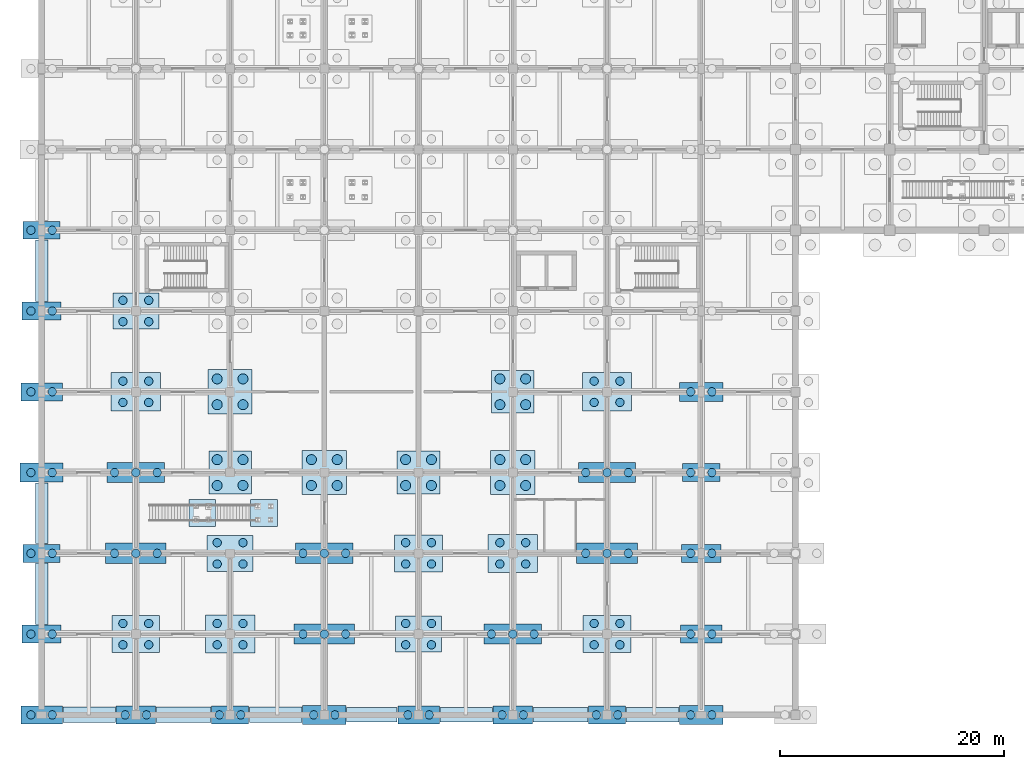
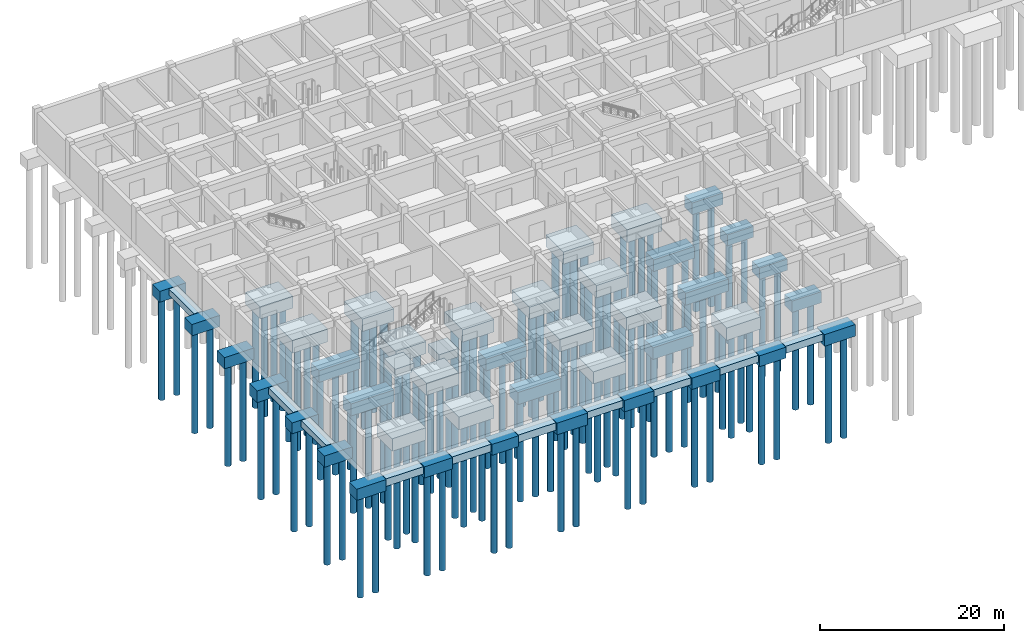
# One storey, part 1 of 38: 121 piles, 53 footings.
"""IFC4 building model written with IfcOpenShell, lengths in metres."""

from ifc_helpers import new_model, si_unit, derived_unit, direction, frame, origin, origin_2d, place, context, subcontext, project, spatial, rectangle, circle, extrude, material, material_profile, profile_set, type_object, element, save


model = new_model("IFC4")

# Units and contexts
model_context = context("Model", 3, precision=1e-05, world=origin(), true_north=direction((0.0, 1.0)))
body_context = subcontext(model_context, "Body", "Model", "MODEL_VIEW")
ifc_project = project(units=[si_unit("LENGTHUNIT", "METRE"), si_unit("AREAUNIT", "SQUARE_METRE"), si_unit("VOLUMEUNIT", "CUBIC_METRE"), si_unit("PLANEANGLEUNIT", "RADIAN"), si_unit("MASSUNIT", "GRAM", prefix="KILO"), derived_unit("THERMALTRANSMITTANCEUNIT", [(si_unit("MASSUNIT", "GRAM", prefix="KILO"), 1), (si_unit("TIMEUNIT", "SECOND"), -3), (si_unit("THERMODYNAMICTEMPERATUREUNIT", "KELVIN"), -1)])], contexts=[model_context])

# Site, building, storey
site_placement = place(None, origin())
site = spatial("IfcSite", under=ifc_project, at=site_placement, CompositionType="ELEMENT")
building_placement = place(site_placement, origin())
building = spatial("IfcBuilding", under=site, at=building_placement, Name="Veldstrom Oceanarium and Marine Research Institute", CompositionType="ELEMENT")
storey_placement = place(building_placement, frame((0.0, 0.0, -9.60009765625)))
storey = spatial("IfcBuildingStorey", under=building, at=storey_placement, Name="B02", CompositionType="ELEMENT", Elevation=-9.60009765625)

# Footings
ifc_material_1 = material(Name="Concrete C40/50", Category="concrete")
footing_type_1 = type_object("IfcFootingType", Name="STR-FTG-PC04", PredefinedType="PILE_CAP", material=ifc_material_1)
for number, where, z_axis, x_axis, name in (
    (1, (16.800048828125, 28.800048828125, -2.849853515625), (0.0, 0.0, 1.0), (1.0, 0.0, 0.0), "Pile Cap PC04 3/E"),
    (2, (25.199951171875, 21.60009765625, -2.849853515625), (0.0, 0.0, 1.0), (1.0, 0.0, 0.0), "Pile Cap PC04 4/D"),
    (3, (42.0, 21.60009765625, -2.849853515625), (0.0, 0.0, 1.0), (1.0, 0.0, 0.0), "Pile Cap PC04 6/D"),
):
    element("IfcFooting", number, at=place(storey_placement, frame(where, z_axis=z_axis, x_axis=x_axis)), inside=storey, type_object=footing_type_1, Name=name, PredefinedType="PILE_CAP", context=body_context, shape_type="SweptSolid", body=[
        extrude(rectangle(XDim=3.949951171875, YDim=3.949951171875, at=origin_2d()), origin(), (0.0, 0.0, 1.0), 1.64990234375),
    ])
ifc_material_2 = material(Name="Concrete C40/50", Category="concrete")
footing_type_2 = type_object("IfcFootingType", Name="STR-FTG-PC05", PredefinedType="PILE_CAP", material=ifc_material_2)
for number, where, z_axis, x_axis, name in (
    (4, (16.800048828125, 21.60009765625, -2.800048828125), (0.0, 0.0, 1.0), (1.0, 0.0, 0.0), "Pile Cap PC05 3/D"),
    (5, (33.60009765625, 21.60009765625, -2.800048828125), (0.0, 0.0, 1.0), (1.0, 0.0, 0.0), "Pile Cap PC05 5/D"),
    (6, (42.0, 28.800048828125, -2.800048828125), (0.0, 0.0, 1.0), (1.0, 0.0, 0.0), "Pile Cap PC05 6/E"),
):
    element("IfcFooting", number, at=place(storey_placement, frame(where, z_axis=z_axis, x_axis=x_axis)), inside=storey, type_object=footing_type_2, Name=name, PredefinedType="PILE_CAP", context=body_context, shape_type="SweptSolid", body=[
        extrude(rectangle(XDim=3.800048828125, YDim=3.800048828125, at=origin_2d()), origin(), (0.0, 0.0, 1.0), 1.60009765625),
    ])
ifc_material_3 = material(Name="Concrete C40/50", Category="concrete")
footing_type_3 = type_object("IfcFootingType", Name="STR-FTG-PC06", PredefinedType="PILE_CAP", material=ifc_material_3)
for number, where, z_axis, x_axis, name in (
    (7, (8.39990234375, 14.39990234375, -2.800048828125), (0.0, 0.0, 1.0), (1.0, 0.0, 0.0), "Pile Cap PC06 2/C"),
    (8, (25.199951171875, 7.199951171875, -2.800048828125), (0.0, 0.0, 1.0), (1.0, 0.0, 0.0), "Pile Cap PC06 4/B"),
    (9, (50.39990234375, 14.39990234375, -2.800048828125), (0.0, 0.0, 1.0), (1.0, 0.0, 0.0), "Pile Cap PC06 7/C"),
):
    element("IfcFooting", number, at=place(storey_placement, frame(where, z_axis=z_axis, x_axis=x_axis)), inside=storey, type_object=footing_type_3, Name=name, PredefinedType="PILE_CAP", context=body_context, shape_type="SweptSolid", body=[
        extrude(rectangle(XDim=5.39990234375, YDim=1.800048828125, at=origin_2d()), origin(), (0.0, 0.0, 1.0), 1.60009765625),
    ])
ifc_material_4 = material(Name="Concrete C40/50", Category="concrete")
footing_type_4 = type_object("IfcFootingType", Name="STR-FTG-PC07", PredefinedType="PILE_CAP", material=ifc_material_4)
for number, where, z_axis, x_axis, name in (
    (10, (8.39990234375, 21.60009765625, -2.75), (0.0, 0.0, 1.0), (1.0, 0.0, 0.0), "Pile Cap PC07 2/D"),
    (11, (25.199951171875, 14.39990234375, -2.75), (0.0, 0.0, 1.0), (1.0, 0.0, 0.0), "Pile Cap PC07 4/C"),
    (12, (42.0, 7.199951171875, -2.75), (0.0, 0.0, 1.0), (1.0, 0.0, 0.0), "Pile Cap PC07 6/B"),
    (13, (50.39990234375, 21.60009765625, -2.75), (0.0, 0.0, 1.0), (1.0, 0.0, 0.0), "Pile Cap PC07 7/D"),
):
    element("IfcFooting", number, at=place(storey_placement, frame(where, z_axis=z_axis, x_axis=x_axis)), inside=storey, type_object=footing_type_4, Name=name, PredefinedType="PILE_CAP", context=body_context, shape_type="SweptSolid", body=[
        extrude(rectangle(XDim=5.10009765625, YDim=1.800048828125, at=origin_2d()), origin(), (0.0, 0.0, 1.0), 1.550048828125),
    ])
ifc_material_5 = material(Name="Concrete C40/50", Category="concrete")
footing_type_5 = type_object("IfcFootingType", Name="STR-FTG-PC08", PredefinedType="PILE_CAP", material=ifc_material_5)
for number, where, z_axis, x_axis, name in (
    (14, (0.0, 0.0, -2.699951171875), (0.0, 0.0, 1.0), (1.0, 0.0, 0.0), "Pile Cap PC08 1/A"),
    (15, (0.0, 28.800048828125, -2.699951171875), (0.0, 0.0, 1.0), (1.0, 0.0, 0.0), "Pile Cap PC08 1/E"),
    (16, (33.60009765625, 0.0, -2.699951171875), (0.0, 0.0, 1.0), (1.0, 0.0, 0.0), "Pile Cap PC08 5/A"),
    (17, (58.800048828125, 7.199951171875, -2.699951171875), (0.0, 0.0, 1.0), (1.0, 0.0, 0.0), "Pile Cap PC08 8/B"),
):
    element("IfcFooting", number, at=place(storey_placement, frame(where, z_axis=z_axis, x_axis=x_axis)), inside=storey, type_object=footing_type_5, Name=name, PredefinedType="PILE_CAP", context=body_context, shape_type="SweptSolid", body=[
        extrude(rectangle(XDim=3.699951171875, YDim=1.60009765625, at=origin_2d()), origin(), (0.0, 0.0, 1.0), 1.5),
    ])
ifc_material_6 = material(Name="Concrete C40/50", Category="concrete")
footing_type_6 = type_object("IfcFootingType", Name="STR-FTG-PC09", PredefinedType="PILE_CAP", material=ifc_material_6)
for number, where, z_axis, x_axis, name in (
    (18, (0.0, 7.199951171875, -2.699951171875), (0.0, 0.0, 1.0), (1.0, 0.0, 0.0), "Pile Cap PC09 1/B"),
    (19, (0.0, 36.0, -2.699951171875), (0.0, 0.0, 1.0), (1.0, 0.0, 0.0), "Pile Cap PC09 1/F"),
    (20, (8.39990234375, 0.0, -2.699951171875), (0.0, 0.0, 1.0), (1.0, 0.0, 0.0), "Pile Cap PC09 2/A"),
    (21, (42.0, 0.0, -2.699951171875), (0.0, 0.0, 1.0), (1.0, 0.0, 0.0), "Pile Cap PC09 6/A"),
    (22, (58.800048828125, 14.39990234375, -2.699951171875), (0.0, 0.0, 1.0), (1.0, 0.0, 0.0), "Pile Cap PC09 8/C"),
):
    element("IfcFooting", number, at=place(storey_placement, frame(where, z_axis=z_axis, x_axis=x_axis)), inside=storey, type_object=footing_type_6, Name=name, PredefinedType="PILE_CAP", context=body_context, shape_type="SweptSolid", body=[
        extrude(rectangle(XDim=3.5, YDim=1.60009765625, at=origin_2d()), origin(), (0.0, 0.0, 1.0), 1.5),
    ])
ifc_material_7 = material(Name="Concrete C40/50", Category="concrete")
footing_type_7 = type_object("IfcFootingType", Name="STR-FTG-PC10", PredefinedType="PILE_CAP", material=ifc_material_7)
for number, where, z_axis, x_axis, name in (
    (23, (0.0, 14.39990234375, -2.64990234375), (0.0, 0.0, 1.0), (1.0, 0.0, 0.0), "Pile Cap PC10 1/C"),
    (24, (0.0, 43.199951171875, -2.64990234375), (0.0, 0.0, 1.0), (1.0, 0.0, 0.0), "Pile Cap PC10 1/G"),
    (25, (16.800048828125, 0.0, -2.64990234375), (0.0, 0.0, 1.0), (1.0, 0.0, 0.0), "Pile Cap PC10 3/A"),
    (26, (50.39990234375, 0.0, -2.64990234375), (0.0, 0.0, 1.0), (1.0, 0.0, 0.0), "Pile Cap PC10 7/A"),
    (27, (58.800048828125, 21.60009765625, -2.64990234375), (0.0, 0.0, 1.0), (1.0, 0.0, 0.0), "Pile Cap PC10 8/D"),
):
    element("IfcFooting", number, at=place(storey_placement, frame(where, z_axis=z_axis, x_axis=x_axis)), inside=storey, type_object=footing_type_7, Name=name, PredefinedType="PILE_CAP", context=body_context, shape_type="SweptSolid", body=[
        extrude(rectangle(XDim=3.300048828125, YDim=1.60009765625, at=origin_2d()), origin(), (0.0, 0.0, 1.0), 1.449951171875),
    ])
ifc_material_8 = material(Name="Concrete C40/50", Category="concrete")
footing_type_8 = type_object("IfcFootingType", Name="STR-FTG-PC11", PredefinedType="PILE_CAP", material=ifc_material_8)
for number, where, z_axis, x_axis, name in (
    (28, (8.39990234375, 28.800048828125, -2.89990234375), (0.0, 0.0, 1.0), (1.0, 0.0, 0.0), "Pile Cap PC11 2/E"),
    (29, (16.800048828125, 7.199951171875, -2.89990234375), (0.0, 0.0, 1.0), (1.0, 0.0, 0.0), "Pile Cap PC11 3/B"),
    (30, (42.0, 14.39990234375, -2.89990234375), (0.0, 0.0, 1.0), (1.0, 0.0, 0.0), "Pile Cap PC11 6/C"),
    (31, (50.39990234375, 28.800048828125, -2.89990234375), (0.0, 0.0, 1.0), (1.0, 0.0, 0.0), "Pile Cap PC11 7/E"),
):
    element("IfcFooting", number, at=place(storey_placement, frame(where, z_axis=z_axis, x_axis=x_axis)), inside=storey, type_object=footing_type_8, Name=name, PredefinedType="PILE_CAP", context=body_context, shape_type="SweptSolid", body=[
        extrude(rectangle(XDim=4.39990234375, YDim=3.39990234375, at=origin_2d()), origin(), (0.0, 0.0, 1.0), 1.699951171875),
    ])
ifc_material_9 = material(Name="Concrete C40/50", Category="concrete")
footing_type_9 = type_object("IfcFootingType", Name="STR-FTG-PC12", PredefinedType="PILE_CAP", material=ifc_material_9)
for number, where, z_axis, x_axis, name in (
    (32, (8.39990234375, 36.0, -2.800048828125), (0.0, 0.0, 1.0), (1.0, 0.0, 0.0), "Pile Cap PC12 2/F"),
    (33, (16.800048828125, 14.39990234375, -2.800048828125), (0.0, 0.0, 1.0), (1.0, 0.0, 0.0), "Pile Cap PC12 3/C"),
    (34, (33.60009765625, 7.199951171875, -2.800048828125), (0.0, 0.0, 1.0), (1.0, 0.0, 0.0), "Pile Cap PC12 5/B"),
):
    element("IfcFooting", number, at=place(storey_placement, frame(where, z_axis=z_axis, x_axis=x_axis)), inside=storey, type_object=footing_type_9, Name=name, PredefinedType="PILE_CAP", context=body_context, shape_type="SweptSolid", body=[
        extrude(rectangle(XDim=4.10009765625, YDim=3.199951171875, at=origin_2d()), origin(), (0.0, 0.0, 1.0), 1.60009765625),
    ])
ifc_material_10 = material(Name="Concrete C40/50", Category="concrete")
footing_type_10 = type_object("IfcFootingType", Name="STR-FTG-PC13", PredefinedType="PILE_CAP", material=ifc_material_10)
for number, where, z_axis, x_axis, name in (
    (35, (8.39990234375, 7.199951171875, -2.849853515625), (0.0, 0.0, 1.0), (1.0, 0.0, 0.0), "Pile Cap PC13 2/B"),
    (36, (33.60009765625, 14.39990234375, -2.849853515625), (0.0, 0.0, 1.0), (1.0, 0.0, 0.0), "Pile Cap PC13 5/C"),
    (37, (50.39990234375, 7.199951171875, -2.849853515625), (0.0, 0.0, 1.0), (1.0, 0.0, 0.0), "Pile Cap PC13 7/B"),
):
    element("IfcFooting", number, at=place(storey_placement, frame(where, z_axis=z_axis, x_axis=x_axis)), inside=storey, type_object=footing_type_10, Name=name, PredefinedType="PILE_CAP", context=body_context, shape_type="SweptSolid", body=[
        extrude(rectangle(XDim=4.25, YDim=3.300048828125, at=origin_2d()), origin(), (0.0, 0.0, 1.0), 1.64990234375),
    ])
ifc_material_11 = material(Name="Concrete C40/50", Category="concrete")
footing_type_11 = type_object("IfcFootingType", Name="STR-FTG-PC14", PredefinedType="PILE_CAP", material=ifc_material_11)
for number, where, z_axis, x_axis, name in (
    (38, (0.0, 21.60009765625, -2.75), (0.0, 0.0, 1.0), (1.0, 0.0, 0.0), "Pile Cap PC14 1/D"),
    (39, (25.199951171875, 0.0, -2.75), (0.0, 0.0, 1.0), (1.0, 0.0, 0.0), "Pile Cap PC14 4/A"),
    (40, (58.800048828125, 0.0, -2.75), (0.0, 0.0, 1.0), (1.0, 0.0, 0.0), "Pile Cap PC14 8/A"),
    (41, (58.800048828125, 28.800048828125, -2.75), (0.0, 0.0, 1.0), (1.0, 0.0, 0.0), "Pile Cap PC14 8/E"),
):
    element("IfcFooting", number, at=place(storey_placement, frame(where, z_axis=z_axis, x_axis=x_axis)), inside=storey, type_object=footing_type_11, Name=name, PredefinedType="PILE_CAP", context=body_context, shape_type="SweptSolid", body=[
        extrude(rectangle(XDim=3.85009765625, YDim=1.699951171875, at=origin_2d()), origin(), (0.0, 0.0, 1.0), 1.550048828125),
    ])
ifc_material_12 = material(Name="Concrete C40/50", Category="concrete")
footing_type_12 = type_object("IfcFootingType", Name="STR-FTG-PF01", PredefinedType="PAD_FOOTING", material=ifc_material_12)
for number, where, z_axis, x_axis, name in (
    (42, (14.320068359375, 18.0, -2.300048828125), (0.0, 0.0, 1.0), (1.0, 0.0, 0.0), "Gallery Stair MID Footing PF01-GS1"),
    (43, (19.840087890625, 18.0, -2.300048828125), (0.0, 0.0, 1.0), (1.0, 0.0, 0.0), "Gallery Stair TOP Footing PF01-GS1"),
):
    element("IfcFooting", number, at=place(storey_placement, frame(where, z_axis=z_axis, x_axis=x_axis)), inside=storey, type_object=footing_type_12, Name=name, PredefinedType="PAD_FOOTING", context=body_context, shape_type="SweptSolid", body=[
        extrude(rectangle(XDim=2.39990234375, YDim=2.39990234375, at=origin_2d()), origin(), (0.0, 0.0, 1.0), 1.10009765625),
    ])
ifc_material_13 = material(Name="Concrete C40/50", Category="concrete")
footing_type_13 = type_object("IfcFootingType", Name="STR-FTG-SF01", PredefinedType="STRIP_FOOTING", material=ifc_material_13)
footing_1_placement = place(storey_placement, frame((4.25, 0.0, -2.199951171875), z_axis=(0.0, 0.0, 1.0), x_axis=(1.0, 0.0, 0.0)))
element("IfcFooting", 44, at=footing_1_placement, inside=storey, type_object=footing_type_13, Name="Continuous Wall Strip Footing SF01-01", PredefinedType="STRIP_FOOTING", context=body_context, shape_type="SweptSolid", body=[
    extrude(rectangle(XDim=4.679931640625, YDim=1.39990234375, at=origin_2d()), origin(), (0.0, 0.0, 1.0), 1.0),
])
footing_2_placement = place(storey_placement, frame((12.64990234375, 0.0, -2.199951171875), z_axis=(0.0, 0.0, 1.0), x_axis=(1.0, 0.0, 0.0)))
element("IfcFooting", 45, at=footing_2_placement, inside=storey, type_object=footing_type_13, Name="Continuous Wall Strip Footing SF01-02", PredefinedType="STRIP_FOOTING", context=body_context, shape_type="SweptSolid", body=[
    extrude(rectangle(XDim=4.8798828125, YDim=1.39990234375, at=origin_2d()), origin(), (0.0, 0.0, 1.0), 1.0),
])
footing_3_placement = place(storey_placement, frame((20.862548828125, 0.0, -2.199951171875), z_axis=(0.0, 0.0, 1.0), x_axis=(1.0, 0.0, 0.0)))
element("IfcFooting", 46, at=footing_3_placement, inside=storey, type_object=footing_type_13, Name="Continuous Wall Strip Footing SF01-03", PredefinedType="STRIP_FOOTING", context=body_context, shape_type="SweptSolid", body=[
    extrude(rectangle(XDim=4.705078125, YDim=1.39990234375, at=origin_2d()), origin(), (0.0, 0.0, 1.0), 1.0),
])
ifc_material_14 = material(Name="Concrete C40/50", Category="concrete")
footing_type_14 = type_object("IfcFootingType", Name="STR-FTG-SF02", PredefinedType="STRIP_FOOTING", material=ifc_material_14)
footing_4_placement = place(storey_placement, frame((29.4375, 0.0, -2.14990234375), z_axis=(0.0, 0.0, 1.0), x_axis=(1.0, 0.0, 0.0)))
element("IfcFooting", 47, at=footing_4_placement, inside=storey, type_object=footing_type_14, Name="Continuous Wall Strip Footing SF02-04", PredefinedType="STRIP_FOOTING", context=body_context, shape_type="SweptSolid", body=[
    extrude(rectangle(XDim=4.5048828125, YDim=1.300048828125, at=origin_2d()), origin(), (0.0, 0.0, 1.0), 0.949951171875),
])
footing_5_placement = place(storey_placement, frame((37.85009765625, 0.0, -2.14990234375), z_axis=(0.0, 0.0, 1.0), x_axis=(1.0, 0.0, 0.0)))
element("IfcFooting", 48, at=footing_5_placement, inside=storey, type_object=footing_type_14, Name="Continuous Wall Strip Footing SF02-05", PredefinedType="STRIP_FOOTING", context=body_context, shape_type="SweptSolid", body=[
    extrude(rectangle(XDim=4.679931640625, YDim=1.300048828125, at=origin_2d()), origin(), (0.0, 0.0, 1.0), 0.949951171875),
])
footing_6_placement = place(storey_placement, frame((46.25, 0.0, -2.14990234375), z_axis=(0.0, 0.0, 1.0), x_axis=(1.0, 0.0, 0.0)))
element("IfcFooting", 49, at=footing_6_placement, inside=storey, type_object=footing_type_14, Name="Continuous Wall Strip Footing SF02-06", PredefinedType="STRIP_FOOTING", context=body_context, shape_type="SweptSolid", body=[
    extrude(rectangle(XDim=4.8798828125, YDim=1.300048828125, at=origin_2d()), origin(), (0.0, 0.0, 1.0), 0.949951171875),
])
footing_7_placement = place(storey_placement, frame((54.46240234375, 0.0, -2.14990234375), z_axis=(0.0, 0.0, 1.0), x_axis=(1.0, 0.0, 0.0)))
element("IfcFooting", 50, at=footing_7_placement, inside=storey, type_object=footing_type_14, Name="Continuous Wall Strip Footing SF02-07", PredefinedType="STRIP_FOOTING", context=body_context, shape_type="SweptSolid", body=[
    extrude(rectangle(XDim=4.705078125, YDim=1.300048828125, at=origin_2d()), origin(), (0.0, 0.0, 1.0), 0.949951171875),
])
ifc_material_15 = material(Name="Concrete C40/50", Category="concrete")
footing_type_15 = type_object("IfcFootingType", Name="STR-FTG-SF04", PredefinedType="STRIP_FOOTING", material=ifc_material_15)
footing_8_placement = place(storey_placement, frame((0.0, 10.800048828125, -2.050048828125), z_axis=(0.0, 0.0, 1.0), x_axis=(0.0, 1.0, 0.0)))
element("IfcFooting", 51, at=footing_8_placement, inside=storey, type_object=footing_type_15, Name="Continuous Wall Strip Footing SF04-13", PredefinedType="STRIP_FOOTING", context=body_context, shape_type="SweptSolid", body=[
    extrude(rectangle(XDim=5.47998046875, YDim=1.10009765625, at=origin_2d()), origin(), (0.0, 0.0, 1.0), 0.85009765625),
])
footing_9_placement = place(storey_placement, frame((0.0, 17.97509765625, -2.050048828125), z_axis=(0.0, 0.0, 1.0), x_axis=(0.0, 1.0, 0.0)))
element("IfcFooting", 52, at=footing_9_placement, inside=storey, type_object=footing_type_15, Name="Continuous Wall Strip Footing SF04-14", PredefinedType="STRIP_FOOTING", context=body_context, shape_type="SweptSolid", body=[
    extrude(rectangle(XDim=5.429931640625, YDim=1.10009765625, at=origin_2d()), origin(), (0.0, 0.0, 1.0), 0.85009765625),
])
footing_10_placement = place(storey_placement, frame((0.0, 39.60009765625, -2.050048828125), z_axis=(0.0, 0.0, 1.0), x_axis=(0.0, 1.0, 0.0)))
element("IfcFooting", 53, at=footing_10_placement, inside=storey, type_object=footing_type_15, Name="Continuous Wall Strip Footing SF04-15", PredefinedType="STRIP_FOOTING", context=body_context, shape_type="SweptSolid", body=[
    extrude(rectangle(XDim=5.47998046875, YDim=1.10009765625, at=origin_2d()), origin(), (0.0, 0.0, 1.0), 0.85009765625),
])

# Piles
ifc_material_16 = material(Name="Concrete C40/50", Category="concrete")
ifc_material_profile_1 = material_profile(ifc_material_16, circle(Radius=0.375, at=origin_2d()), Name="PILE-D750")
ifc_profile_set_1 = profile_set([ifc_material_profile_1], Name="Concrete C40/50")
pile_type_1 = type_object("IfcPileType", Name="STR-PILE-PL1", PredefinedType="BORED", material=ifc_profile_set_1)
for number, where, z_axis, x_axis, name in (
    (54, (-0.949951171875, 0.0, -2.699951171875), (0.0, 0.0, -1.0), (1.0, 0.0, 0.0), "Bored Pile PL1-001"),
    (55, (0.949951171875, 0.0, -2.699951171875), (0.0, 0.0, -1.0), (1.0, 0.0, 0.0), "Bored Pile PL1-002"),
    (56, (-0.949951171875, 7.199951171875, -2.699951171875), (0.0, 0.0, -1.0), (1.0, 0.0, 0.0), "Bored Pile PL1-003"),
    (57, (0.949951171875, 7.199951171875, -2.699951171875), (0.0, 0.0, -1.0), (1.0, 0.0, 0.0), "Bored Pile PL1-004"),
    (58, (-0.949951171875, 14.39990234375, -2.64990234375), (0.0, 0.0, -1.0), (1.0, 0.0, 0.0), "Bored Pile PL1-005"),
    (59, (0.949951171875, 14.39990234375, -2.64990234375), (0.0, 0.0, -1.0), (1.0, 0.0, 0.0), "Bored Pile PL1-006"),
    (60, (-0.949951171875, 21.60009765625, -2.75), (0.0, 0.0, -1.0), (1.0, 0.0, 0.0), "Bored Pile PL1-007"),
    (61, (0.949951171875, 21.60009765625, -2.75), (0.0, 0.0, -1.0), (1.0, 0.0, 0.0), "Bored Pile PL1-008"),
    (62, (-0.949951171875, 28.800048828125, -2.699951171875), (0.0, 0.0, -1.0), (1.0, 0.0, 0.0), "Bored Pile PL1-009"),
    (63, (0.949951171875, 28.800048828125, -2.699951171875), (0.0, 0.0, -1.0), (1.0, 0.0, 0.0), "Bored Pile PL1-010"),
    (64, (-0.949951171875, 36.0, -2.699951171875), (0.0, 0.0, -1.0), (1.0, 0.0, 0.0), "Bored Pile PL1-011"),
    (65, (0.949951171875, 36.0, -2.699951171875), (0.0, 0.0, -1.0), (1.0, 0.0, 0.0), "Bored Pile PL1-012"),
    (66, (-0.949951171875, 43.199951171875, -2.64990234375), (0.0, 0.0, -1.0), (1.0, 0.0, 0.0), "Bored Pile PL1-013"),
    (67, (0.949951171875, 43.199951171875, -2.64990234375), (0.0, 0.0, -1.0), (1.0, 0.0, 0.0), "Bored Pile PL1-014"),
    (68, (7.449951171875, 0.0, -2.699951171875), (0.0, 0.0, -1.0), (1.0, 0.0, 0.0), "Bored Pile PL1-023"),
    (69, (9.35009765625, 0.0, -2.699951171875), (0.0, 0.0, -1.0), (1.0, 0.0, 0.0), "Bored Pile PL1-024"),
    (70, (7.25, 6.25, -2.849853515625), (0.0, 0.0, -1.0), (1.0, 0.0, 0.0), "Bored Pile PL1-025"),
    (71, (9.550048828125, 6.25, -2.849853515625), (0.0, 0.0, -1.0), (1.0, 0.0, 0.0), "Bored Pile PL1-026"),
    (72, (7.25, 8.14990234375, -2.849853515625), (0.0, 0.0, -1.0), (1.0, 0.0, 0.0), "Bored Pile PL1-027"),
    (73, (9.550048828125, 8.14990234375, -2.849853515625), (0.0, 0.0, -1.0), (1.0, 0.0, 0.0), "Bored Pile PL1-028"),
    (74, (6.5, 14.39990234375, -2.7998046875), (0.0, 0.0, -1.0), (1.0, 0.0, 0.0), "Bored Pile PL1-029"),
    (75, (8.39990234375, 14.39990234375, -2.7998046875), (0.0, 0.0, -1.0), (1.0, 0.0, 0.0), "Bored Pile PL1-030"),
    (76, (10.300048828125, 14.39990234375, -2.7998046875), (0.0, 0.0, -1.0), (1.0, 0.0, 0.0), "Bored Pile PL1-031"),
    (77, (6.5, 21.60009765625, -2.75), (0.0, 0.0, -1.0), (1.0, 0.0, 0.0), "Bored Pile PL1-032"),
    (78, (8.39990234375, 21.60009765625, -2.75), (0.0, 0.0, -1.0), (1.0, 0.0, 0.0), "Bored Pile PL1-033"),
    (79, (10.300048828125, 21.60009765625, -2.75), (0.0, 0.0, -1.0), (1.0, 0.0, 0.0), "Bored Pile PL1-034"),
    (80, (7.25, 27.85009765625, -2.89990234375), (0.0, 0.0, -1.0), (1.0, 0.0, 0.0), "Bored Pile PL1-035"),
    (81, (9.550048828125, 27.85009765625, -2.89990234375), (0.0, 0.0, -1.0), (1.0, 0.0, 0.0), "Bored Pile PL1-036"),
    (82, (7.25, 29.75, -2.89990234375), (0.0, 0.0, -1.0), (1.0, 0.0, 0.0), "Bored Pile PL1-037"),
    (83, (9.550048828125, 29.75, -2.89990234375), (0.0, 0.0, -1.0), (1.0, 0.0, 0.0), "Bored Pile PL1-038"),
    (84, (7.25, 35.050048828125, -2.7998046875), (0.0, 0.0, -1.0), (1.0, 0.0, 0.0), "Bored Pile PL1-039"),
    (85, (9.550048828125, 35.050048828125, -2.7998046875), (0.0, 0.0, -1.0), (1.0, 0.0, 0.0), "Bored Pile PL1-040"),
    (86, (7.25, 36.949951171875, -2.7998046875), (0.0, 0.0, -1.0), (1.0, 0.0, 0.0), "Bored Pile PL1-041"),
    (87, (9.550048828125, 36.949951171875, -2.7998046875), (0.0, 0.0, -1.0), (1.0, 0.0, 0.0), "Bored Pile PL1-042"),
    (88, (15.85009765625, 0.0, -2.64990234375), (0.0, 0.0, -1.0), (1.0, 0.0, 0.0), "Bored Pile PL1-059"),
    (89, (17.75, 0.0, -2.64990234375), (0.0, 0.0, -1.0), (1.0, 0.0, 0.0), "Bored Pile PL1-060"),
    (90, (15.64990234375, 6.25, -2.89990234375), (0.0, 0.0, -1.0), (1.0, 0.0, 0.0), "Bored Pile PL1-061"),
    (91, (17.949951171875, 6.25, -2.89990234375), (0.0, 0.0, -1.0), (1.0, 0.0, 0.0), "Bored Pile PL1-062"),
    (92, (15.64990234375, 8.14990234375, -2.89990234375), (0.0, 0.0, -1.0), (1.0, 0.0, 0.0), "Bored Pile PL1-063"),
    (93, (17.949951171875, 8.14990234375, -2.89990234375), (0.0, 0.0, -1.0), (1.0, 0.0, 0.0), "Bored Pile PL1-064"),
    (94, (15.64990234375, 13.449951171875, -2.7998046875), (0.0, 0.0, -1.0), (1.0, 0.0, 0.0), "Bored Pile PL1-065"),
    (95, (17.949951171875, 13.449951171875, -2.7998046875), (0.0, 0.0, -1.0), (1.0, 0.0, 0.0), "Bored Pile PL1-066"),
    (96, (15.64990234375, 15.35009765625, -2.7998046875), (0.0, 0.0, -1.0), (1.0, 0.0, 0.0), "Bored Pile PL1-067"),
    (97, (17.949951171875, 15.35009765625, -2.7998046875), (0.0, 0.0, -1.0), (1.0, 0.0, 0.0), "Bored Pile PL1-068"),
    (98, (24.25, 0.0, -2.75), (0.0, 0.0, -1.0), (1.0, 0.0, 0.0), "Bored Pile PL1-098"),
    (99, (26.14990234375, 0.0, -2.75), (0.0, 0.0, -1.0), (1.0, 0.0, 0.0), "Bored Pile PL1-099"),
    (100, (23.300048828125, 7.199951171875, -2.7998046875), (0.0, 0.0, -1.0), (1.0, 0.0, 0.0), "Bored Pile PL1-100"),
    (101, (25.199951171875, 7.199951171875, -2.7998046875), (0.0, 0.0, -1.0), (1.0, 0.0, 0.0), "Bored Pile PL1-101"),
    (102, (27.10009765625, 7.199951171875, -2.7998046875), (0.0, 0.0, -1.0), (1.0, 0.0, 0.0), "Bored Pile PL1-102"),
    (103, (23.300048828125, 14.39990234375, -2.75), (0.0, 0.0, -1.0), (1.0, 0.0, 0.0), "Bored Pile PL1-103"),
    (104, (25.199951171875, 14.39990234375, -2.75), (0.0, 0.0, -1.0), (1.0, 0.0, 0.0), "Bored Pile PL1-104"),
    (105, (27.10009765625, 14.39990234375, -2.75), (0.0, 0.0, -1.0), (1.0, 0.0, 0.0), "Bored Pile PL1-105"),
    (106, (32.64990234375, 0.0, -2.699951171875), (0.0, 0.0, -1.0), (1.0, 0.0, 0.0), "Bored Pile PL1-130"),
    (107, (34.550048828125, 0.0, -2.699951171875), (0.0, 0.0, -1.0), (1.0, 0.0, 0.0), "Bored Pile PL1-131"),
    (108, (32.449951171875, 6.25, -2.7998046875), (0.0, 0.0, -1.0), (1.0, 0.0, 0.0), "Bored Pile PL1-132"),
    (109, (34.75, 6.25, -2.7998046875), (0.0, 0.0, -1.0), (1.0, 0.0, 0.0), "Bored Pile PL1-133"),
    (110, (32.449951171875, 8.14990234375, -2.7998046875), (0.0, 0.0, -1.0), (1.0, 0.0, 0.0), "Bored Pile PL1-134"),
    (111, (34.75, 8.14990234375, -2.7998046875), (0.0, 0.0, -1.0), (1.0, 0.0, 0.0), "Bored Pile PL1-135"),
    (112, (32.449951171875, 13.449951171875, -2.849853515625), (0.0, 0.0, -1.0), (1.0, 0.0, 0.0), "Bored Pile PL1-136"),
    (113, (34.75, 13.449951171875, -2.849853515625), (0.0, 0.0, -1.0), (1.0, 0.0, 0.0), "Bored Pile PL1-137"),
    (114, (32.449951171875, 15.35009765625, -2.849853515625), (0.0, 0.0, -1.0), (1.0, 0.0, 0.0), "Bored Pile PL1-138"),
    (115, (34.75, 15.35009765625, -2.849853515625), (0.0, 0.0, -1.0), (1.0, 0.0, 0.0), "Bored Pile PL1-139"),
    (116, (41.050048828125, 0.0, -2.699951171875), (0.0, 0.0, -1.0), (1.0, 0.0, 0.0), "Bored Pile PL1-164"),
    (117, (42.949951171875, 0.0, -2.699951171875), (0.0, 0.0, -1.0), (1.0, 0.0, 0.0), "Bored Pile PL1-165"),
    (118, (40.10009765625, 7.199951171875, -2.75), (0.0, 0.0, -1.0), (1.0, 0.0, 0.0), "Bored Pile PL1-166"),
    (119, (42.0, 7.199951171875, -2.75), (0.0, 0.0, -1.0), (1.0, 0.0, 0.0), "Bored Pile PL1-167"),
    (120, (43.89990234375, 7.199951171875, -2.75), (0.0, 0.0, -1.0), (1.0, 0.0, 0.0), "Bored Pile PL1-168"),
    (121, (40.85009765625, 13.449951171875, -2.89990234375), (0.0, 0.0, -1.0), (1.0, 0.0, 0.0), "Bored Pile PL1-169"),
    (122, (43.14990234375, 13.449951171875, -2.89990234375), (0.0, 0.0, -1.0), (1.0, 0.0, 0.0), "Bored Pile PL1-170"),
    (123, (40.85009765625, 15.35009765625, -2.89990234375), (0.0, 0.0, -1.0), (1.0, 0.0, 0.0), "Bored Pile PL1-171"),
    (124, (43.14990234375, 15.35009765625, -2.89990234375), (0.0, 0.0, -1.0), (1.0, 0.0, 0.0), "Bored Pile PL1-172"),
    (125, (49.449951171875, 0.0, -2.64990234375), (0.0, 0.0, -1.0), (1.0, 0.0, 0.0), "Bored Pile PL1-202"),
    (126, (51.35009765625, 0.0, -2.64990234375), (0.0, 0.0, -1.0), (1.0, 0.0, 0.0), "Bored Pile PL1-203"),
    (127, (49.25, 6.25, -2.849853515625), (0.0, 0.0, -1.0), (1.0, 0.0, 0.0), "Bored Pile PL1-204"),
    (128, (51.550048828125, 6.25, -2.849853515625), (0.0, 0.0, -1.0), (1.0, 0.0, 0.0), "Bored Pile PL1-205"),
    (129, (49.25, 8.14990234375, -2.849853515625), (0.0, 0.0, -1.0), (1.0, 0.0, 0.0), "Bored Pile PL1-206"),
    (130, (51.550048828125, 8.14990234375, -2.849853515625), (0.0, 0.0, -1.0), (1.0, 0.0, 0.0), "Bored Pile PL1-207"),
    (131, (48.5, 14.39990234375, -2.7998046875), (0.0, 0.0, -1.0), (1.0, 0.0, 0.0), "Bored Pile PL1-208"),
    (132, (50.39990234375, 14.39990234375, -2.7998046875), (0.0, 0.0, -1.0), (1.0, 0.0, 0.0), "Bored Pile PL1-209"),
    (133, (52.300048828125, 14.39990234375, -2.7998046875), (0.0, 0.0, -1.0), (1.0, 0.0, 0.0), "Bored Pile PL1-210"),
    (134, (48.5, 21.60009765625, -2.75), (0.0, 0.0, -1.0), (1.0, 0.0, 0.0), "Bored Pile PL1-211"),
    (135, (50.39990234375, 21.60009765625, -2.75), (0.0, 0.0, -1.0), (1.0, 0.0, 0.0), "Bored Pile PL1-212"),
    (136, (52.300048828125, 21.60009765625, -2.75), (0.0, 0.0, -1.0), (1.0, 0.0, 0.0), "Bored Pile PL1-213"),
    (137, (49.25, 27.85009765625, -2.89990234375), (0.0, 0.0, -1.0), (1.0, 0.0, 0.0), "Bored Pile PL1-214"),
    (138, (51.550048828125, 27.85009765625, -2.89990234375), (0.0, 0.0, -1.0), (1.0, 0.0, 0.0), "Bored Pile PL1-215"),
    (139, (49.25, 29.75, -2.89990234375), (0.0, 0.0, -1.0), (1.0, 0.0, 0.0), "Bored Pile PL1-216"),
    (140, (51.550048828125, 29.75, -2.89990234375), (0.0, 0.0, -1.0), (1.0, 0.0, 0.0), "Bored Pile PL1-217"),
    (141, (57.85009765625, 0.0, -2.75), (0.0, 0.0, -1.0), (1.0, 0.0, 0.0), "Bored Pile PL1-238"),
    (142, (59.75, 0.0, -2.75), (0.0, 0.0, -1.0), (1.0, 0.0, 0.0), "Bored Pile PL1-239"),
    (143, (57.85009765625, 7.199951171875, -2.699951171875), (0.0, 0.0, -1.0), (1.0, 0.0, 0.0), "Bored Pile PL1-240"),
    (144, (59.75, 7.199951171875, -2.699951171875), (0.0, 0.0, -1.0), (1.0, 0.0, 0.0), "Bored Pile PL1-241"),
    (145, (57.85009765625, 14.39990234375, -2.699951171875), (0.0, 0.0, -1.0), (1.0, 0.0, 0.0), "Bored Pile PL1-242"),
    (146, (59.75, 14.39990234375, -2.699951171875), (0.0, 0.0, -1.0), (1.0, 0.0, 0.0), "Bored Pile PL1-243"),
    (147, (57.85009765625, 21.60009765625, -2.64990234375), (0.0, 0.0, -1.0), (1.0, 0.0, 0.0), "Bored Pile PL1-244"),
    (148, (59.75, 21.60009765625, -2.64990234375), (0.0, 0.0, -1.0), (1.0, 0.0, 0.0), "Bored Pile PL1-245"),
    (149, (57.85009765625, 28.800048828125, -2.75), (0.0, 0.0, -1.0), (1.0, 0.0, 0.0), "Bored Pile PL1-246"),
    (150, (59.75, 28.800048828125, -2.75), (0.0, 0.0, -1.0), (1.0, 0.0, 0.0), "Bored Pile PL1-247"),
):
    element("IfcPile", number, at=place(storey_placement, frame(where, z_axis=z_axis, x_axis=x_axis)), inside=storey, type_object=pile_type_1, Name=name, PredefinedType="BORED", context=body_context, shape_type="SweptSolid", body=[
        extrude(circle(Radius=0.375, at=origin_2d()), origin(), (0.0, 0.0, 1.0), 13.5),
    ])
ifc_material_17 = material(Name="Concrete C40/50", Category="concrete")
ifc_material_profile_2 = material_profile(ifc_material_17, circle(Radius=0.449951171875, at=origin_2d()), Name="PILE-D900")
ifc_profile_set_2 = profile_set([ifc_material_profile_2], Name="Concrete C40/50")
pile_type_2 = type_object("IfcPileType", Name="STR-PILE-PL2", PredefinedType="BORED", material=ifc_profile_set_2)
for number, where, z_axis, x_axis, name in (
    (151, (15.64990234375, 20.449951171875, -2.7998046875), (0.0, 0.0, -1.0), (1.0, 0.0, 0.0), "Bored Pile PL2-069"),
    (152, (17.949951171875, 20.449951171875, -2.7998046875), (0.0, 0.0, -1.0), (1.0, 0.0, 0.0), "Bored Pile PL2-070"),
    (153, (15.64990234375, 22.75, -2.7998046875), (0.0, 0.0, -1.0), (1.0, 0.0, 0.0), "Bored Pile PL2-071"),
    (154, (17.949951171875, 22.75, -2.7998046875), (0.0, 0.0, -1.0), (1.0, 0.0, 0.0), "Bored Pile PL2-072"),
    (155, (15.64990234375, 27.64990234375, -2.849853515625), (0.0, 0.0, -1.0), (1.0, 0.0, 0.0), "Bored Pile PL2-073"),
    (156, (17.949951171875, 27.64990234375, -2.849853515625), (0.0, 0.0, -1.0), (1.0, 0.0, 0.0), "Bored Pile PL2-074"),
    (157, (15.64990234375, 29.949951171875, -2.849853515625), (0.0, 0.0, -1.0), (1.0, 0.0, 0.0), "Bored Pile PL2-075"),
    (158, (17.949951171875, 29.949951171875, -2.849853515625), (0.0, 0.0, -1.0), (1.0, 0.0, 0.0), "Bored Pile PL2-076"),
    (159, (24.050048828125, 20.449951171875, -2.849853515625), (0.0, 0.0, -1.0), (1.0, 0.0, 0.0), "Bored Pile PL2-106"),
    (160, (26.35009765625, 20.449951171875, -2.849853515625), (0.0, 0.0, -1.0), (1.0, 0.0, 0.0), "Bored Pile PL2-107"),
    (161, (24.050048828125, 22.75, -2.849853515625), (0.0, 0.0, -1.0), (1.0, 0.0, 0.0), "Bored Pile PL2-108"),
    (162, (26.35009765625, 22.75, -2.849853515625), (0.0, 0.0, -1.0), (1.0, 0.0, 0.0), "Bored Pile PL2-109"),
    (163, (32.449951171875, 20.449951171875, -2.7998046875), (0.0, 0.0, -1.0), (1.0, 0.0, 0.0), "Bored Pile PL2-140"),
    (164, (34.75, 20.449951171875, -2.7998046875), (0.0, 0.0, -1.0), (1.0, 0.0, 0.0), "Bored Pile PL2-141"),
    (165, (32.449951171875, 22.75, -2.7998046875), (0.0, 0.0, -1.0), (1.0, 0.0, 0.0), "Bored Pile PL2-142"),
    (166, (34.75, 22.75, -2.7998046875), (0.0, 0.0, -1.0), (1.0, 0.0, 0.0), "Bored Pile PL2-143"),
    (167, (40.85009765625, 20.449951171875, -2.849853515625), (0.0, 0.0, -1.0), (1.0, 0.0, 0.0), "Bored Pile PL2-173"),
    (168, (43.14990234375, 20.449951171875, -2.849853515625), (0.0, 0.0, -1.0), (1.0, 0.0, 0.0), "Bored Pile PL2-174"),
    (169, (40.85009765625, 22.75, -2.849853515625), (0.0, 0.0, -1.0), (1.0, 0.0, 0.0), "Bored Pile PL2-175"),
    (170, (43.14990234375, 22.75, -2.849853515625), (0.0, 0.0, -1.0), (1.0, 0.0, 0.0), "Bored Pile PL2-176"),
    (171, (40.85009765625, 27.64990234375, -2.7998046875), (0.0, 0.0, -1.0), (1.0, 0.0, 0.0), "Bored Pile PL2-177"),
    (172, (43.14990234375, 27.64990234375, -2.7998046875), (0.0, 0.0, -1.0), (1.0, 0.0, 0.0), "Bored Pile PL2-178"),
    (173, (40.85009765625, 29.949951171875, -2.7998046875), (0.0, 0.0, -1.0), (1.0, 0.0, 0.0), "Bored Pile PL2-179"),
    (174, (43.14990234375, 29.949951171875, -2.7998046875), (0.0, 0.0, -1.0), (1.0, 0.0, 0.0), "Bored Pile PL2-180"),
):
    element("IfcPile", number, at=place(storey_placement, frame(where, z_axis=z_axis, x_axis=x_axis)), inside=storey, type_object=pile_type_2, Name=name, PredefinedType="BORED", context=body_context, shape_type="SweptSolid", body=[
        extrude(circle(Radius=0.449951171875, at=origin_2d()), origin(), (0.0, 0.0, 1.0), 13.5),
    ])

save(model, "model.ifc")
